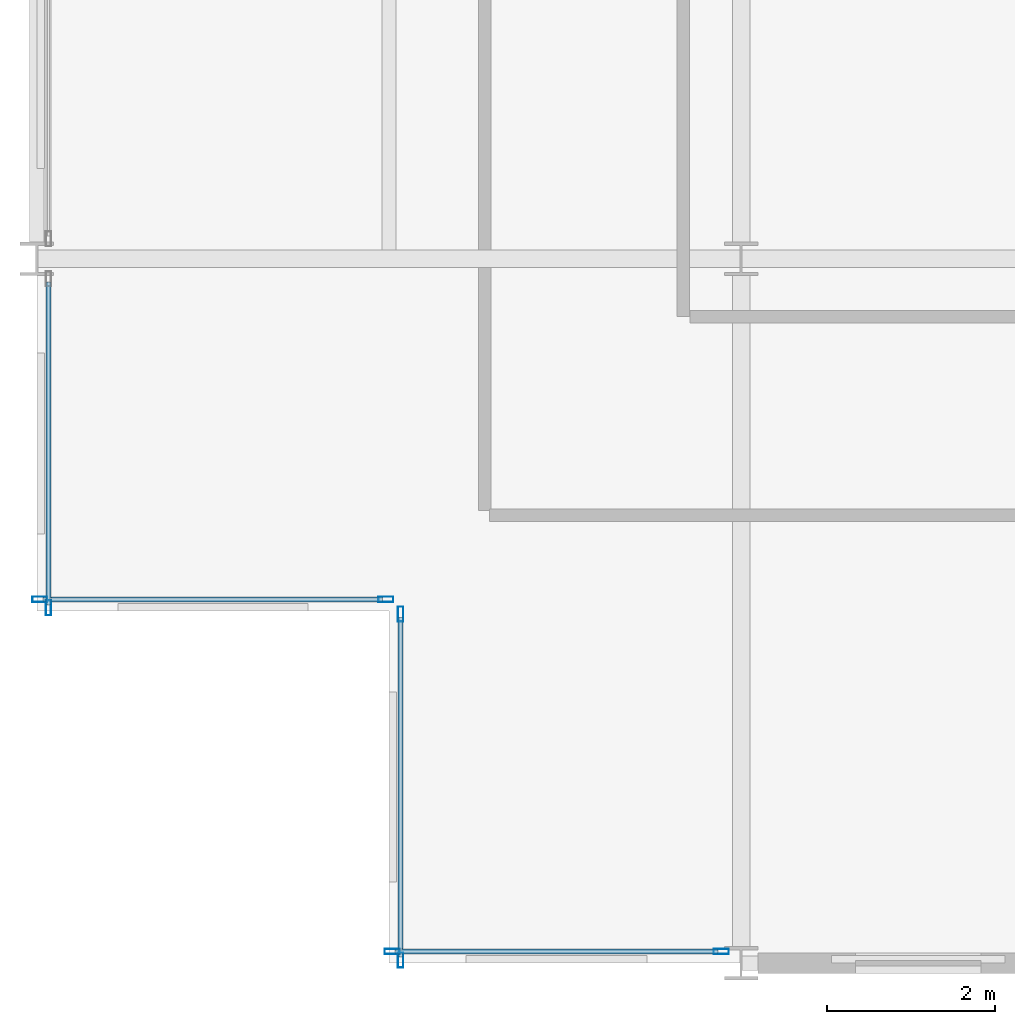
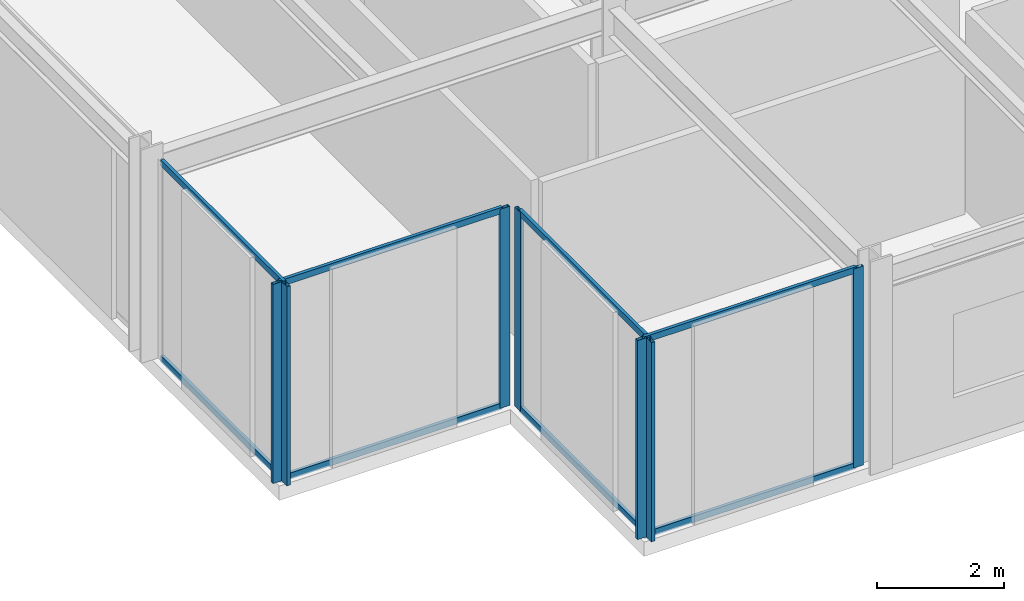
# One storey, part 4 of 38: 15 members, 4 elements without a shape of their own.
"""IFC4 building model written with IfcOpenShell, lengths in metres."""

from ifc_helpers import new_model, si_unit, direction, frame, origin, origin_2d, place, context, subcontext, project, spatial, hollow_rectangle, extrude, material, layer, layer_set, material_profile, profile_set, type_object, element, aggregate, save


model = new_model("IFC4")

# Units and contexts
model_context = context("Model", 3, precision=1e-05, world=origin(), true_north=direction((0.0, 1.0)))
body_context = subcontext(model_context, "Body", "Model", "MODEL_VIEW")
ifc_project = project(units=[si_unit("LENGTHUNIT", "METRE"), si_unit("AREAUNIT", "SQUARE_METRE"), si_unit("VOLUMEUNIT", "CUBIC_METRE"), si_unit("PLANEANGLEUNIT", "RADIAN"), si_unit("MASSUNIT", "GRAM", prefix="KILO")], contexts=[model_context])

# Site, building, storey
site_placement = place(None, origin())
site = spatial("IfcSite", under=ifc_project, at=site_placement, CompositionType="ELEMENT")
building_placement = place(site_placement, origin())
building = spatial("IfcBuilding", under=site, at=building_placement, Name="Nerrivon Quay Data Exchange", CompositionType="ELEMENT")
storey_placement = place(building_placement, frame((0.0, 0.0, 84.39990234375)))
storey = spatial("IfcBuildingStorey", under=building, at=storey_placement, Name="L19", CompositionType="ELEMENT", Elevation=84.39990234375)

# Curtain wall, members
ifc_material = material(Name="Anodised aluminium 6063-T6", Category="aluminium")
ifc_layer = layer(ifc_material, 0.2099609375)
ifc_layer_set = layer_set([ifc_layer], Name="Anodised aluminium 6063-T6")
curtain_wall_type = type_object("IfcCurtainWallType", Name="CW-SYS-02", PredefinedType="NOTDEFINED", material=ifc_layer_set)
curtain_wall_1_placement = place(storey_placement, origin())
curtain_wall_1 = element("IfcCurtainWall", 1, at=curtain_wall_1_placement, inside=storey, type_object=curtain_wall_type, Name="L19 Unitised Curtain Wall 14", PredefinedType="NOTDEFINED")
ifc_material_profile_1 = material_profile(ifc_material, hollow_rectangle(XDim=0.06494140625, YDim=0.179931640625, WallThickness=0.00341796875, at=origin_2d()), Name="ALU-MULL-180x65")
ifc_profile_set_1 = profile_set([ifc_material_profile_1], Name="Anodised aluminium 6063-T6")
member_type_1 = type_object("IfcMemberType", Name="CWM-180x65", PredefinedType="MULLION", material=ifc_profile_set_1)
member_1_placement = place(storey_placement, frame((8.16259765625, 0.139892578125, 0.0), z_axis=(0.0, 0.0, 1.0), x_axis=(0.0, -1.0, 0.0)))
member_1 = element("IfcMember", 2, at=member_1_placement, type_object=member_type_1, Name="CW02 mullion 1", PredefinedType="MULLION", context=body_context, shape_type="SweptSolid", body=[
    extrude(hollow_rectangle(XDim=0.06494140625, YDim=0.179931640625, WallThickness=0.00341796875, at=origin_2d()), origin(), (0.0, 0.0, 1.0), 3.8251953125),
])
member_2_placement = place(storey_placement, frame((4.237548828125, 0.139892578125, 0.0), z_axis=(0.0, 0.0, 1.0), x_axis=(0.0, -1.0, 0.0)))
member_2 = element("IfcMember", 3, at=member_2_placement, type_object=member_type_1, Name="CW02 mullion 2", PredefinedType="MULLION", context=body_context, shape_type="SweptSolid", body=[
    extrude(hollow_rectangle(XDim=0.06494140625, YDim=0.179931640625, WallThickness=0.00341796875, at=origin_2d()), origin(), (0.0, 0.0, 1.0), 3.8251953125),
])

curtain_wall_2_placement = place(storey_placement, origin())
curtain_wall_2 = element("IfcCurtainWall", 4, at=curtain_wall_2_placement, inside=storey, type_object=curtain_wall_type, Name="L19 Unitised Curtain Wall 15", PredefinedType="NOTDEFINED")
member_3_placement = place(storey_placement, frame((4.340087890625, 0.03759765625, 0.0), z_axis=(0.0, 0.0, 1.0), x_axis=(-1.0, 0.0, 0.0)))
member_3 = element("IfcMember", 5, at=member_3_placement, type_object=member_type_1, Name="CW02 mullion 1", PredefinedType="MULLION", context=body_context, shape_type="SweptSolid", body=[
    extrude(hollow_rectangle(XDim=0.06494140625, YDim=0.179931640625, WallThickness=0.00341796875, at=origin_2d()), origin(), (0.0, 0.0, 1.0), 3.8251953125),
])
member_4_placement = place(storey_placement, frame((4.340087890625, 4.16259765625, 0.0), z_axis=(0.0, 0.0, 1.0), x_axis=(-1.0, 0.0, 0.0)))
member_4 = element("IfcMember", 6, at=member_4_placement, type_object=member_type_1, Name="CW02 mullion 2", PredefinedType="MULLION", context=body_context, shape_type="SweptSolid", body=[
    extrude(hollow_rectangle(XDim=0.06494140625, YDim=0.179931640625, WallThickness=0.00341796875, at=origin_2d()), origin(), (0.0, 0.0, 1.0), 3.8251953125),
])

curtain_wall_3_placement = place(storey_placement, origin())
curtain_wall_3 = element("IfcCurtainWall", 7, at=curtain_wall_3_placement, inside=storey, type_object=curtain_wall_type, Name="L19 Unitised Curtain Wall 16", PredefinedType="NOTDEFINED")
member_5_placement = place(storey_placement, frame((4.16259765625, 4.340087890625, 0.0), z_axis=(0.0, 0.0, 1.0), x_axis=(0.0, -1.0, 0.0)))
member_5 = element("IfcMember", 8, at=member_5_placement, type_object=member_type_1, Name="CW02 mullion 1", PredefinedType="MULLION", context=body_context, shape_type="SweptSolid", body=[
    extrude(hollow_rectangle(XDim=0.06494140625, YDim=0.179931640625, WallThickness=0.00341796875, at=origin_2d()), origin(), (0.0, 0.0, 1.0), 3.8251953125),
])
member_6_placement = place(storey_placement, frame((0.03759765625, 4.340087890625, 0.0), z_axis=(0.0, 0.0, 1.0), x_axis=(0.0, -1.0, 0.0)))
member_6 = element("IfcMember", 9, at=member_6_placement, type_object=member_type_1, Name="CW02 mullion 2", PredefinedType="MULLION", context=body_context, shape_type="SweptSolid", body=[
    extrude(hollow_rectangle(XDim=0.06494140625, YDim=0.179931640625, WallThickness=0.00341796875, at=origin_2d()), origin(), (0.0, 0.0, 1.0), 3.8251953125),
])

# Curtain wall, member
curtain_wall_4_placement = place(storey_placement, origin())
curtain_wall_4 = element("IfcCurtainWall", 10, at=curtain_wall_4_placement, inside=storey, type_object=curtain_wall_type, Name="L19 Unitised Curtain Wall 17", PredefinedType="NOTDEFINED")
member_7_placement = place(storey_placement, frame((0.139892578125, 4.237548828125, 0.0), z_axis=(0.0, 0.0, 1.0), x_axis=(-1.0, 0.0, 0.0)))
member_7 = element("IfcMember", 11, at=member_7_placement, type_object=member_type_1, Name="CW02 mullion 1", PredefinedType="MULLION", context=body_context, shape_type="SweptSolid", body=[
    extrude(hollow_rectangle(XDim=0.06494140625, YDim=0.179931640625, WallThickness=0.00341796875, at=origin_2d()), origin(), (0.0, 0.0, 1.0), 3.8251953125),
])

# Member
ifc_material_profile_2 = material_profile(ifc_material, hollow_rectangle(XDim=0.06005859375, YDim=0.1201171875, WallThickness=0.003173828125, at=origin_2d()), Name="ALU-TRAN-120x60")
ifc_profile_set_2 = profile_set([ifc_material_profile_2], Name="Anodised aluminium 6063-T6")
member_type_2 = type_object("IfcMemberType", Name="CWT-120x60", PredefinedType="USERDEFINED", material=ifc_profile_set_2)
member_8_placement = place(storey_placement, frame((8.125, 0.139892578125, 0.03271484375), z_axis=(-1.0, 0.0, 0.0), x_axis=(0.0, -1.0, 0.0)))
member_8 = element("IfcMember", 12, at=member_8_placement, type_object=member_type_2, Name="CW02 transom 1.1", ObjectType="TRANSOM", PredefinedType="USERDEFINED", context=body_context, shape_type="SweptSolid", body=[
    extrude(hollow_rectangle(XDim=0.06005859375, YDim=0.1201171875, WallThickness=0.003173828125, at=origin_2d()), origin(), (0.0, 0.0, 1.0), 3.85009765625),
])

member_9_placement = place(storey_placement, frame((8.125, 0.139892578125, 3.79248046875), z_axis=(-1.0, 0.0, 0.0), x_axis=(0.0, -1.0, 0.0)))
member_9 = element("IfcMember", 13, at=member_9_placement, type_object=member_type_2, Name="CW02 transom 1.2", ObjectType="TRANSOM", PredefinedType="USERDEFINED", context=body_context, shape_type="SweptSolid", body=[
    extrude(hollow_rectangle(XDim=0.06005859375, YDim=0.1201171875, WallThickness=0.003173828125, at=origin_2d()), origin(), (0.0, 0.0, 1.0), 3.85009765625),
])

aggregate(curtain_wall_1, [member_1, member_2, member_8, member_9])

member_10_placement = place(storey_placement, frame((4.340087890625, 0.074951171875, 0.03271484375), z_axis=(0.0, 1.0, 0.0), x_axis=(-1.0, 0.0, 0.0)))
member_10 = element("IfcMember", 14, at=member_10_placement, type_object=member_type_2, Name="CW02 transom 1.1", ObjectType="TRANSOM", PredefinedType="USERDEFINED", context=body_context, shape_type="SweptSolid", body=[
    extrude(hollow_rectangle(XDim=0.06005859375, YDim=0.1201171875, WallThickness=0.003173828125, at=origin_2d()), origin(), (0.0, 0.0, 1.0), 4.050048828125),
])

member_11_placement = place(storey_placement, frame((4.340087890625, 0.074951171875, 3.79248046875), z_axis=(0.0, 1.0, 0.0), x_axis=(-1.0, 0.0, 0.0)))
member_11 = element("IfcMember", 15, at=member_11_placement, type_object=member_type_2, Name="CW02 transom 1.2", ObjectType="TRANSOM", PredefinedType="USERDEFINED", context=body_context, shape_type="SweptSolid", body=[
    extrude(hollow_rectangle(XDim=0.06005859375, YDim=0.1201171875, WallThickness=0.003173828125, at=origin_2d()), origin(), (0.0, 0.0, 1.0), 4.050048828125),
])

aggregate(curtain_wall_2, [member_3, member_4, member_10, member_11])

member_12_placement = place(storey_placement, frame((4.125, 4.340087890625, 0.03271484375), z_axis=(-1.0, 0.0, 0.0), x_axis=(0.0, -1.0, 0.0)))
member_12 = element("IfcMember", 16, at=member_12_placement, type_object=member_type_2, Name="CW02 transom 1.1", ObjectType="TRANSOM", PredefinedType="USERDEFINED", context=body_context, shape_type="SweptSolid", body=[
    extrude(hollow_rectangle(XDim=0.06005859375, YDim=0.1201171875, WallThickness=0.003173828125, at=origin_2d()), origin(), (0.0, 0.0, 1.0), 4.050048828125),
])

member_13_placement = place(storey_placement, frame((4.125, 4.340087890625, 3.79248046875), z_axis=(-1.0, 0.0, 0.0), x_axis=(0.0, -1.0, 0.0)))
member_13 = element("IfcMember", 17, at=member_13_placement, type_object=member_type_2, Name="CW02 transom 1.2", ObjectType="TRANSOM", PredefinedType="USERDEFINED", context=body_context, shape_type="SweptSolid", body=[
    extrude(hollow_rectangle(XDim=0.06005859375, YDim=0.1201171875, WallThickness=0.003173828125, at=origin_2d()), origin(), (0.0, 0.0, 1.0), 4.050048828125),
])

aggregate(curtain_wall_3, [member_5, member_6, member_12, member_13])

member_14_placement = place(storey_placement, frame((0.139892578125, 4.27490234375, 0.03271484375), z_axis=(0.0, 1.0, 0.0), x_axis=(-1.0, 0.0, 0.0)))
member_14 = element("IfcMember", 18, at=member_14_placement, type_object=member_type_2, Name="CW02 transom 1.1", ObjectType="TRANSOM", PredefinedType="USERDEFINED", context=body_context, shape_type="SweptSolid", body=[
    extrude(hollow_rectangle(XDim=0.06005859375, YDim=0.1201171875, WallThickness=0.003173828125, at=origin_2d()), origin(), (0.0, 0.0, 1.0), 3.85009765625),
])

member_15_placement = place(storey_placement, frame((0.139892578125, 4.27490234375, 3.79248046875), z_axis=(0.0, 1.0, 0.0), x_axis=(-1.0, 0.0, 0.0)))
member_15 = element("IfcMember", 19, at=member_15_placement, type_object=member_type_2, Name="CW02 transom 1.2", ObjectType="TRANSOM", PredefinedType="USERDEFINED", context=body_context, shape_type="SweptSolid", body=[
    extrude(hollow_rectangle(XDim=0.06005859375, YDim=0.1201171875, WallThickness=0.003173828125, at=origin_2d()), origin(), (0.0, 0.0, 1.0), 3.85009765625),
])

aggregate(curtain_wall_4, [member_7, member_14, member_15])

save(model, "model.ifc")
